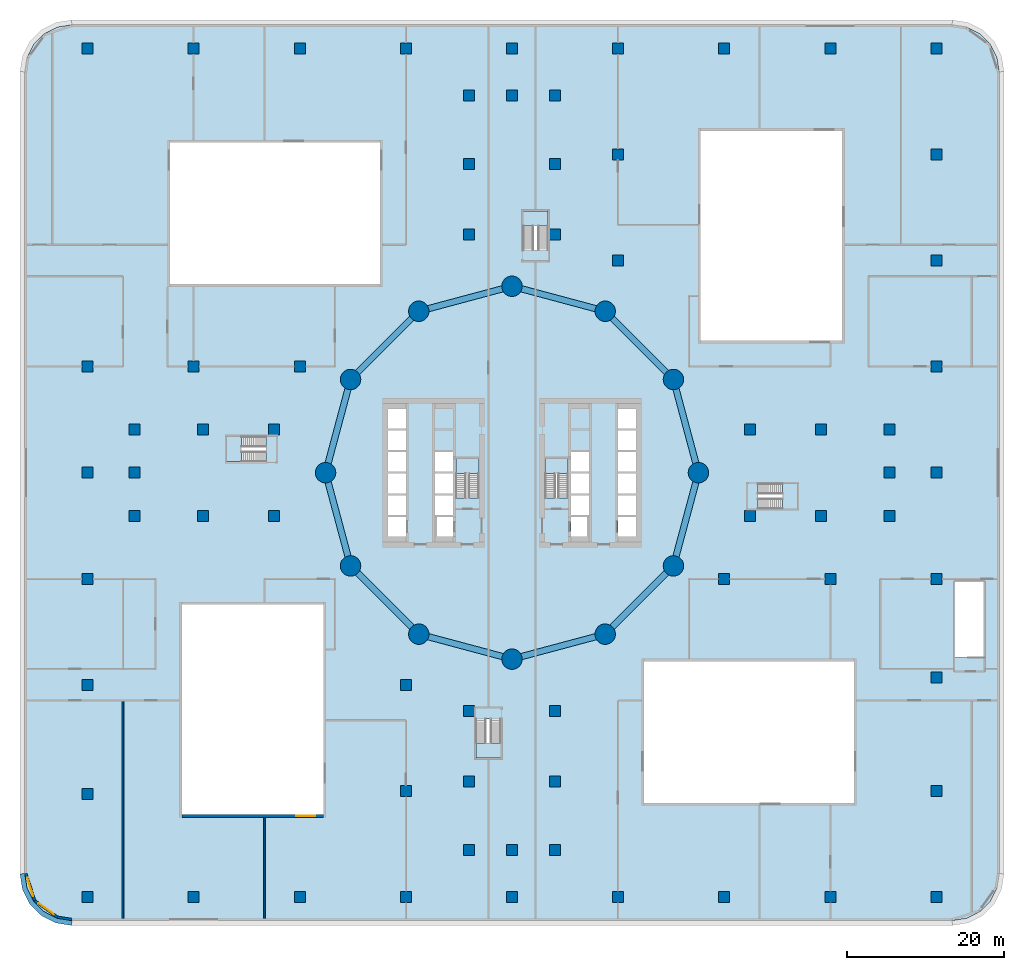
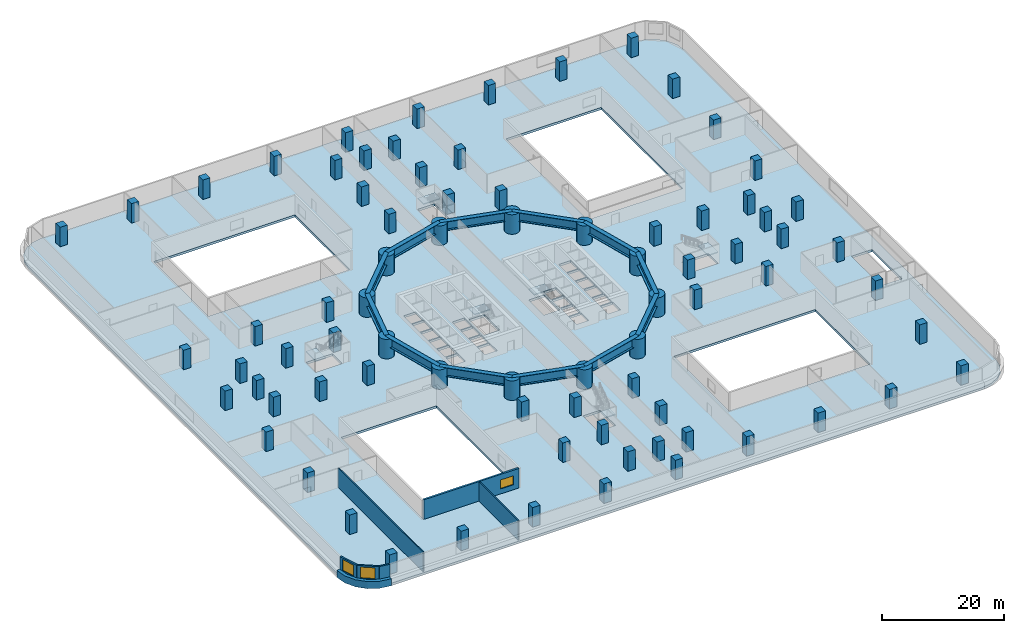
# One storey, part 1 of 16: 78 columns, 12 beams, 7 slabs, 6 walls, 3 windows, 1 member, 3 openings, 6 elements without a shape of their own.
"""IFC4 building model written with IfcOpenShell, lengths in metres."""

from ifc_helpers import new_model, si_unit, direction, frame, frame_2d, origin, origin_2d, place, context, subcontext, project, spatial, polyline, rectangle, circle, i_section, outline, extrude, material, layer, layer_set, material_profile, profile_set, type_object, element, fill, aggregate, save


model = new_model("IFC4")

# Units and contexts
model_context = context("Model", 3, precision=1e-05, world=origin(), true_north=direction((0.0, 1.0)))
body_context = subcontext(model_context, "Body", "Model", "MODEL_VIEW")
ifc_project = project(units=[si_unit("LENGTHUNIT", "METRE"), si_unit("AREAUNIT", "SQUARE_METRE"), si_unit("VOLUMEUNIT", "CUBIC_METRE"), si_unit("PLANEANGLEUNIT", "RADIAN"), si_unit("MASSUNIT", "GRAM", prefix="KILO")], contexts=[model_context])

# Site, building, storey
site_placement = place(None, origin())
site = spatial("IfcSite", under=ifc_project, at=site_placement, CompositionType="ELEMENT")
building_placement = place(site_placement, origin())
building = spatial("IfcBuilding", under=site, at=building_placement, Name="Tamarind Cross Interchange Tower", CompositionType="ELEMENT")
storey_placement = place(building_placement, frame((0.0, 0.0, 25.0)))
storey = spatial("IfcBuildingStorey", under=building, at=storey_placement, Name="L04", CompositionType="ELEMENT", Elevation=25.0)

# Columns
ifc_material_1 = material(Name="Concrete C80", Category="concrete")
ifc_material_profile_1 = material_profile(ifc_material_1, rectangle(XDim=1.39990234375, YDim=1.39990234375, at=origin_2d()), Name="RC 1400x1400")
ifc_profile_set_1 = profile_set([ifc_material_profile_1], Name="Concrete C80")
column_type_1 = type_object("IfcColumnType", Name="Column RC 1400x1400 Concrete C80", PredefinedType="COLUMN", material=ifc_profile_set_1)
for number, where, z_axis, x_axis, name in (
    (1, (39.300048828125, 5.5, -0.449951171875), (0.0, 0.0, 1.0), (1.0, 0.0, 0.0), "Column E.ep0"),
    (2, (39.300048828125, -5.5, -0.449951171875), (0.0, 0.0, 1.0), (1.0, 0.0, 0.0), "Column E.em0"),
    (3, (30.300048828125, 5.5, -0.449951171875), (0.0, 0.0, 1.0), (1.0, 0.0, 0.0), "Column E.ep1"),
    (4, (30.300048828125, -5.5, -0.449951171875), (0.0, 0.0, 1.0), (1.0, 0.0, 0.0), "Column E.em1"),
    (5, (48.007568359375, -5.5, -0.449951171875), (0.0, 0.0, 1.0), (1.0, 0.0, 0.0), "Column E.t0"),
    (6, (48.007568359375, 0.0, -0.449951171875), (0.0, 0.0, 1.0), (1.0, 0.0, 0.0), "Column E.t1"),
    (7, (48.007568359375, 5.5, -0.449951171875), (0.0, 0.0, 1.0), (1.0, 0.0, 0.0), "Column E.t2"),
    (8, (-5.5, 39.300048828125, -0.449951171875), (0.0, 0.0, 1.0), (1.0, 0.0, 0.0), "Column N.ep0"),
    (9, (5.5, 39.300048828125, -0.449951171875), (0.0, 0.0, 1.0), (1.0, 0.0, 0.0), "Column N.em0"),
    (10, (-5.5, 30.300048828125, -0.449951171875), (0.0, 0.0, 1.0), (1.0, 0.0, 0.0), "Column N.ep1"),
    (11, (5.5, 30.300048828125, -0.449951171875), (0.0, 0.0, 1.0), (1.0, 0.0, 0.0), "Column N.em1"),
    (12, (5.5, 48.007568359375, -0.449951171875), (0.0, 0.0, 1.0), (1.0, 0.0, 0.0), "Column N.t0"),
    (13, (0.0, 48.007568359375, -0.449951171875), (0.0, 0.0, 1.0), (1.0, 0.0, 0.0), "Column N.t1"),
    (14, (-5.5, 48.007568359375, -0.449951171875), (0.0, 0.0, 1.0), (1.0, 0.0, 0.0), "Column N.t2"),
    (15, (-39.300048828125, -5.5, -0.449951171875), (0.0, 0.0, 1.0), (1.0, 0.0, 0.0), "Column W.ep0"),
    (16, (-39.300048828125, 5.5, -0.449951171875), (0.0, 0.0, 1.0), (1.0, 0.0, 0.0), "Column W.em0"),
    (17, (-30.300048828125, -5.5, -0.449951171875), (0.0, 0.0, 1.0), (1.0, 0.0, 0.0), "Column W.ep1"),
    (18, (-30.300048828125, 5.5, -0.449951171875), (0.0, 0.0, 1.0), (1.0, 0.0, 0.0), "Column W.em1"),
    (19, (-48.007568359375, 5.5, -0.449951171875), (0.0, 0.0, 1.0), (1.0, 0.0, 0.0), "Column W.t0"),
    (20, (-48.007568359375, 0.0, -0.449951171875), (0.0, 0.0, 1.0), (1.0, 0.0, 0.0), "Column W.t1"),
    (21, (-48.007568359375, -5.5, -0.449951171875), (0.0, 0.0, 1.0), (1.0, 0.0, 0.0), "Column W.t2"),
    (22, (5.5, -39.300048828125, -0.449951171875), (0.0, 0.0, 1.0), (1.0, 0.0, 0.0), "Column S.ep0"),
    (23, (-5.5, -39.300048828125, -0.449951171875), (0.0, 0.0, 1.0), (1.0, 0.0, 0.0), "Column S.em0"),
    (24, (5.5, -30.300048828125, -0.449951171875), (0.0, 0.0, 1.0), (1.0, 0.0, 0.0), "Column S.ep1"),
    (25, (-5.5, -30.300048828125, -0.449951171875), (0.0, 0.0, 1.0), (1.0, 0.0, 0.0), "Column S.em1"),
    (26, (-5.5, -48.007568359375, -0.449951171875), (0.0, 0.0, 1.0), (1.0, 0.0, 0.0), "Column S.t0"),
    (27, (0.0, -48.007568359375, -0.449951171875), (0.0, 0.0, 1.0), (1.0, 0.0, 0.0), "Column S.t1"),
    (28, (5.5, -48.007568359375, -0.449951171875), (0.0, 0.0, 1.0), (1.0, 0.0, 0.0), "Column S.t2"),
    (29, (-54.0, -54.0, -0.449951171875), (0.0, 0.0, 1.0), (1.0, 0.0, 0.0), "Column G01"),
    (30, (-54.0, -40.85009765625, -0.449951171875), (0.0, 0.0, 1.0), (1.0, 0.0, 0.0), "Column G02"),
    (31, (-54.0, -27.0, -0.449951171875), (0.0, 0.0, 1.0), (1.0, 0.0, 0.0), "Column G03"),
    (32, (-54.0, -13.5, -0.449951171875), (0.0, 0.0, 1.0), (1.0, 0.0, 0.0), "Column G04"),
    (33, (-54.0, 0.0, -0.449951171875), (0.0, 0.0, 1.0), (1.0, 0.0, 0.0), "Column G05"),
    (34, (-54.0, 13.5, -0.449951171875), (0.0, 0.0, 1.0), (1.0, 0.0, 0.0), "Column G06"),
    (35, (-54.0, 54.0, -0.449951171875), (0.0, 0.0, 1.0), (1.0, 0.0, 0.0), "Column G07"),
    (36, (-40.5, -54.0, -0.449951171875), (0.0, 0.0, 1.0), (1.0, 0.0, 0.0), "Column G08"),
    (37, (-40.5, 13.5, -0.449951171875), (0.0, 0.0, 1.0), (1.0, 0.0, 0.0), "Column G09"),
    (38, (-40.5, 54.0, -0.449951171875), (0.0, 0.0, 1.0), (1.0, 0.0, 0.0), "Column G10"),
    (39, (-27.0, -54.0, -0.449951171875), (0.0, 0.0, 1.0), (1.0, 0.0, 0.0), "Column G11"),
    (40, (-27.0, 13.5, -0.449951171875), (0.0, 0.0, 1.0), (1.0, 0.0, 0.0), "Column G12"),
    (41, (-27.0, 54.0, -0.449951171875), (0.0, 0.0, 1.0), (1.0, 0.0, 0.0), "Column G13"),
    (42, (-13.5, -54.0, -0.449951171875), (0.0, 0.0, 1.0), (1.0, 0.0, 0.0), "Column G14"),
    (43, (-13.5, -40.5, -0.449951171875), (0.0, 0.0, 1.0), (1.0, 0.0, 0.0), "Column G15"),
    (44, (-13.5, -27.0, -0.449951171875), (0.0, 0.0, 1.0), (1.0, 0.0, 0.0), "Column G16"),
    (45, (-13.5, 54.0, -0.449951171875), (0.0, 0.0, 1.0), (1.0, 0.0, 0.0), "Column G17"),
    (46, (0.0, -54.0, -0.449951171875), (0.0, 0.0, 1.0), (1.0, 0.0, 0.0), "Column G18"),
    (47, (0.0, 54.0, -0.449951171875), (0.0, 0.0, 1.0), (1.0, 0.0, 0.0), "Column G19"),
    (48, (13.5, -54.0, -0.449951171875), (0.0, 0.0, 1.0), (1.0, 0.0, 0.0), "Column G20"),
    (49, (13.5, 27.0, -0.449951171875), (0.0, 0.0, 1.0), (1.0, 0.0, 0.0), "Column G21"),
    (50, (13.5, 40.5, -0.449951171875), (0.0, 0.0, 1.0), (1.0, 0.0, 0.0), "Column G22"),
    (51, (13.5, 54.0, -0.449951171875), (0.0, 0.0, 1.0), (1.0, 0.0, 0.0), "Column G23"),
    (52, (27.0, -54.0, -0.449951171875), (0.0, 0.0, 1.0), (1.0, 0.0, 0.0), "Column G24"),
    (53, (27.0, -13.5, -0.449951171875), (0.0, 0.0, 1.0), (1.0, 0.0, 0.0), "Column G25"),
    (54, (27.0, 54.0, -0.449951171875), (0.0, 0.0, 1.0), (1.0, 0.0, 0.0), "Column G26"),
    (55, (40.5, -54.0, -0.449951171875), (0.0, 0.0, 1.0), (1.0, 0.0, 0.0), "Column G27"),
    (56, (40.5, -13.5, -0.449951171875), (0.0, 0.0, 1.0), (1.0, 0.0, 0.0), "Column G28"),
    (57, (40.5, 54.0, -0.449951171875), (0.0, 0.0, 1.0), (1.0, 0.0, 0.0), "Column G29"),
    (58, (54.0, -54.0, -0.449951171875), (0.0, 0.0, 1.0), (1.0, 0.0, 0.0), "Column G30"),
    (59, (54.0, -40.5, -0.449951171875), (0.0, 0.0, 1.0), (1.0, 0.0, 0.0), "Column G31"),
    (60, (54.0, -26.050048828125, -0.449951171875), (0.0, 0.0, 1.0), (1.0, 0.0, 0.0), "Column G32"),
    (61, (54.0, -13.5, -0.449951171875), (0.0, 0.0, 1.0), (1.0, 0.0, 0.0), "Column G33"),
    (62, (54.0, 0.0, -0.449951171875), (0.0, 0.0, 1.0), (1.0, 0.0, 0.0), "Column G34"),
    (63, (54.0, 13.5, -0.449951171875), (0.0, 0.0, 1.0), (1.0, 0.0, 0.0), "Column G35"),
    (64, (54.0, 27.0, -0.449951171875), (0.0, 0.0, 1.0), (1.0, 0.0, 0.0), "Column G36"),
    (65, (54.0, 40.5, -0.449951171875), (0.0, 0.0, 1.0), (1.0, 0.0, 0.0), "Column G37"),
    (66, (54.0, 54.0, -0.449951171875), (0.0, 0.0, 1.0), (1.0, 0.0, 0.0), "Column G38"),
):
    element("IfcColumn", number, at=place(storey_placement, frame(where, z_axis=z_axis, x_axis=x_axis)), inside=storey, type_object=column_type_1, Name=name, PredefinedType="COLUMN", context=body_context, shape_type="SweptSolid", body=[
        extrude(rectangle(XDim=1.39990234375, YDim=1.39990234375, at=origin_2d()), origin(), (0.0, 0.0, 1.0), 4.349853515625),
    ])
ifc_material_profile_2 = material_profile(ifc_material_1, circle(Radius=1.300048828125, at=origin_2d()), Name="RC D2600")
ifc_profile_set_2 = profile_set([ifc_material_profile_2], Name="Concrete C80")
column_type_2 = type_object("IfcColumnType", Name="Column RC D2600 Concrete C80", PredefinedType="COLUMN", material=ifc_profile_set_2)
for number, where, z_axis, x_axis, name in (
    (67, (23.720703125, 0.0, -0.449951171875), (0.0, 0.0, 1.0), (1.0, 0.0, 0.0), "Ring column R01"),
    (68, (20.542724609375, 11.8603515625, -0.449951171875), (0.0, 0.0, 1.0), (1.0, 0.0, 0.0), "Ring column R02"),
    (69, (11.8603515625, 20.542724609375, -0.449951171875), (0.0, 0.0, 1.0), (1.0, 0.0, 0.0), "Ring column R03"),
    (70, (0.0, 23.720703125, -0.449951171875), (0.0, 0.0, 1.0), (1.0, 0.0, 0.0), "Ring column R04"),
    (71, (-11.8603515625, 20.542724609375, -0.449951171875), (0.0, 0.0, 1.0), (1.0, 0.0, 0.0), "Ring column R05"),
    (72, (-20.542724609375, 11.8603515625, -0.449951171875), (0.0, 0.0, 1.0), (1.0, 0.0, 0.0), "Ring column R06"),
    (73, (-23.720703125, 0.0, -0.449951171875), (0.0, 0.0, 1.0), (1.0, 0.0, 0.0), "Ring column R07"),
    (74, (-20.542724609375, -11.8603515625, -0.449951171875), (0.0, 0.0, 1.0), (1.0, 0.0, 0.0), "Ring column R08"),
    (75, (-11.8603515625, -20.542724609375, -0.449951171875), (0.0, 0.0, 1.0), (1.0, 0.0, 0.0), "Ring column R09"),
    (76, (0.0, -23.720703125, -0.449951171875), (0.0, 0.0, 1.0), (1.0, 0.0, 0.0), "Ring column R10"),
    (77, (11.8603515625, -20.542724609375, -0.449951171875), (0.0, 0.0, 1.0), (1.0, 0.0, 0.0), "Ring column R11"),
    (78, (20.542724609375, -11.8603515625, -0.449951171875), (0.0, 0.0, 1.0), (1.0, 0.0, 0.0), "Ring column R12"),
):
    element("IfcColumn", number, at=place(storey_placement, frame(where, z_axis=z_axis, x_axis=x_axis)), inside=storey, type_object=column_type_2, Name=name, PredefinedType="COLUMN", context=body_context, shape_type="SweptSolid", body=[
        extrude(circle(Radius=1.300048828125, at=origin_2d()), origin(), (0.0, 0.0, 1.0), 4.349853515625),
    ])

# Member
ifc_material_2 = material(Name="Aluminium and insulated spandrel panel", Category="aluminium")
member_type = type_object("IfcMemberType", Name="Floor-edge blade transom", PredefinedType="USERDEFINED", material=ifc_material_2)
member_placement = place(storey_placement, origin())
member = element("IfcMember", 79, at=member_placement, type_object=member_type, Name="CWT-L04-05", ObjectType="TRANSOM", PredefinedType="USERDEFINED", context=body_context, shape_type="SweptSolid", body=[
    extrude(outline(polyline([(-62.0, -51.0), (-61.706298828125, -52.85400390625), (-60.85400390625, -54.526611328125), (-59.526611328125, -55.85400390625), (-57.85400390625, -56.706298828125), (-56.0, -57.0), (-56.047119140625, -57.60009765625), (-58.041748046875, -57.2841796875), (-59.8837890625, -56.345458984375), (-61.345458984375, -54.8837890625), (-62.2841796875, -53.041748046875), (-62.60009765625, -51.047119140625), (-62.0, -51.0)])), origin(), (0.0, 0.0, 1.0), 1.39990234375),
])

# Beams
ifc_material_3 = material(Name="Steel Q345GJC", Category="steel")
ifc_material_profile_3 = material_profile(ifc_material_3, i_section(OverallWidth=0.800048828125, OverallDepth=1.800048828125, WebThickness=0.0400390625, FlangeThickness=0.070068359375, at=origin_2d()), Name="BH 1800x800x40x70")
ifc_profile_set_3 = profile_set([ifc_material_profile_3], Name="Steel Q345GJC")
beam_type = type_object("IfcBeamType", Name="Transfer girder BH 1800x800x40x70 Q345GJC", PredefinedType="BEAM", material=ifc_profile_set_3)
for number, where, z_axis, x_axis, name in (
    (80, (23.720703125, 0.0, 3.0), (-0.258819568836, 0.965925685955, 0.0), (-0.965925685955, -0.258819568836, 0.0), "Transfer girder 1"),
    (81, (20.542724609375, 11.8603515625, 3.0), (-0.707106781187, 0.707106781187, 0.0), (-0.707106781187, -0.707106781187, 0.0), "Transfer girder 2"),
    (82, (11.8603515625, 20.542724609375, 3.0), (-0.965925685955, 0.258819568836, 0.0), (-0.258819568836, -0.965925685955, 0.0), "Transfer girder 3"),
    (83, (0.0, 23.720703125, 3.0), (-0.965925685955, -0.258819568836, 0.0), (0.258819568836, -0.965925685955, 0.0), "Transfer girder 4"),
    (84, (-11.8603515625, 20.542724609375, 3.0), (-0.707106781187, -0.707106781187, 0.0), (0.707106781187, -0.707106781187, 0.0), "Transfer girder 5"),
    (85, (-20.542724609375, 11.8603515625, 3.0), (-0.258819568836, -0.965925685955, 0.0), (0.965925685955, -0.258819568836, 0.0), "Transfer girder 6"),
    (86, (-23.720703125, 0.0, 3.0), (0.258819568836, -0.965925685955, 0.0), (0.965925685955, 0.258819568836, 0.0), "Transfer girder 7"),
    (87, (-20.542724609375, -11.8603515625, 3.0), (0.707106781187, -0.707106781187, 0.0), (0.707106781187, 0.707106781187, 0.0), "Transfer girder 8"),
    (88, (-11.8603515625, -20.542724609375, 3.0), (0.965925685955, -0.258819568836, 0.0), (0.258819568836, 0.965925685955, 0.0), "Transfer girder 9"),
    (89, (0.0, -23.720703125, 3.0), (0.965925685955, 0.258819568836, 0.0), (-0.258819568836, 0.965925685955, 0.0), "Transfer girder 10"),
    (90, (11.8603515625, -20.542724609375, 3.0), (0.707106781187, 0.707106781187, 0.0), (-0.707106781187, 0.707106781187, 0.0), "Transfer girder 11"),
    (91, (20.542724609375, -11.8603515625, 3.0), (0.258819568836, 0.965925685955, 0.0), (-0.965925685955, 0.258819568836, 0.0), "Transfer girder 12"),
):
    element("IfcBeam", number, at=place(storey_placement, frame(where, z_axis=z_axis, x_axis=x_axis)), inside=storey, type_object=beam_type, Name=name, PredefinedType="BEAM", context=body_context, shape_type="SweptSolid", body=[
        extrude(i_section(OverallWidth=0.800048828125, OverallDepth=1.800048828125, WebThickness=0.0400390625, FlangeThickness=0.070068359375, at=origin_2d()), origin(), (0.0, 0.0, 1.0), 12.27880859375),
    ])

# Slab
ifc_material_4 = material(Name="Concrete C40", Category="concrete")
ifc_layer_1 = layer(ifc_material_4, 0.449951171875)
ifc_layer_set_1 = layer_set([ifc_layer_1], Name="Concrete C40")
slab_type_1 = type_object("IfcSlabType", Name="Post-tensioned flat slab 450 Concrete C40", PredefinedType="FLOOR", material=ifc_layer_set_1)
slab_1_placement = place(storey_placement, frame((0.0, 0.0, -0.449951171875)))
element("IfcSlab", 92, at=slab_1_placement, inside=storey, type_object=slab_type_1, Name="Floor slab L04", PredefinedType="FLOOR", context=body_context, shape_type="SweptSolid", body=[
    extrude(outline(polyline([(-57.85400390625, -56.706298828125), (-56.0, -57.0), (56.0, -57.0), (57.85400390625, -56.706298828125), (59.526611328125, -55.85400390625), (60.85400390625, -54.526611328125), (61.706298828125, -52.85400390625), (62.0, -51.0), (62.0, 51.0), (61.706298828125, 52.85400390625), (60.85400390625, 54.526611328125), (59.526611328125, 55.85400390625), (57.85400390625, 56.706298828125), (56.0, 57.0), (-56.0, 57.0), (-57.85400390625, 56.706298828125), (-59.526611328125, 55.85400390625), (-60.85400390625, 54.526611328125), (-61.706298828125, 52.85400390625), (-62.0, 51.0), (-62.0, -51.0), (-61.706298828125, -52.85400390625), (-60.85400390625, -54.526611328125), (-59.526611328125, -55.85400390625), (-57.85400390625, -56.706298828125)]), holes=[polyline([(-4.60009765625, -31.31201171875), (-1.39990234375, -31.31201171875), (-1.39990234375, -36.300048828125), (-4.60009765625, -36.300048828125), (-4.60009765625, -31.31201171875)]), polyline([(-42.0, -43.5), (-42.0, -16.800048828125), (-24.0, -16.800048828125), (-24.0, -43.5), (-42.0, -43.5)]), polyline([(-13.5, -8.125), (-15.800048828125, -8.125), (-15.800048828125, -5.625), (-13.5, -5.625), (-13.5, -8.125)]), polyline([(-7.5, -8.125), (-9.800048828125, -8.125), (-9.800048828125, -5.625), (-7.5, -5.625), (-7.5, -8.125)]), polyline([(-13.5, -5.375), (-15.800048828125, -5.375), (-15.800048828125, -2.875), (-13.5, -2.875), (-13.5, -5.375)]), polyline([(-7.5, -5.375), (-9.800048828125, -5.375), (-9.800048828125, -2.875), (-7.5, -2.875), (-7.5, -5.375)]), polyline([(-13.5, -2.625), (-15.800048828125, -2.625), (-15.800048828125, -0.125), (-13.5, -0.125), (-13.5, -2.625)]), polyline([(-7.5, -2.625), (-9.800048828125, -2.625), (-9.800048828125, -0.125), (-7.5, -0.125), (-7.5, -2.625)]), polyline([(-4.199951171875, 1.800048828125), (-4.199951171875, -3.18798828125), (-7.14990234375, -3.18798828125), (-7.14990234375, 1.800048828125), (-4.199951171875, 1.800048828125)]), polyline([(-13.5, 0.125), (-15.800048828125, 0.125), (-15.800048828125, 2.625), (-13.5, 2.625), (-13.5, 0.125)]), polyline([(-7.5, 0.125), (-9.800048828125, 0.125), (-9.800048828125, 2.625), (-7.5, 2.625), (-7.5, 0.125)]), polyline([(-31.31201171875, 1.39990234375), (-36.300048828125, 1.39990234375), (-36.300048828125, 4.60009765625), (-31.31201171875, 4.60009765625), (-31.31201171875, 1.39990234375)]), polyline([(-13.5, 2.875), (-15.800048828125, 2.875), (-15.800048828125, 5.375), (-13.5, 5.375), (-13.5, 2.875)]), polyline([(-13.5, 5.625), (-15.800048828125, 5.625), (-15.800048828125, 8.125), (-13.5, 8.125), (-13.5, 5.625)]), polyline([(1.39990234375, 28.31201171875), (1.39990234375, 33.300048828125), (4.60009765625, 33.300048828125), (4.60009765625, 28.31201171875), (1.39990234375, 28.31201171875)]), polyline([(-43.5, 24.0), (-43.5, 42.0), (-16.800048828125, 42.0), (-16.800048828125, 24.0), (-43.5, 24.0)]), polyline([(16.800048828125, -42.0), (16.800048828125, -24.0), (43.5, -24.0), (43.5, -42.0), (16.800048828125, -42.0)]), polyline([(60.14990234375, -13.800048828125), (60.14990234375, -23.488037109375), (56.25, -23.488037109375), (56.25, -13.800048828125), (60.14990234375, -13.800048828125)]), polyline([(7.5, -5.625), (9.800048828125, -5.625), (9.800048828125, -8.125), (7.5, -8.125), (7.5, -5.625)]), polyline([(13.5, -5.625), (15.800048828125, -5.625), (15.800048828125, -8.125), (13.5, -8.125), (13.5, -5.625)]), polyline([(7.5, -2.875), (9.800048828125, -2.875), (9.800048828125, -5.375), (7.5, -5.375), (7.5, -2.875)]), polyline([(13.5, -2.875), (15.800048828125, -2.875), (15.800048828125, -5.375), (13.5, -5.375), (13.5, -2.875)]), polyline([(31.31201171875, -1.39990234375), (36.300048828125, -1.39990234375), (36.300048828125, -4.60009765625), (31.31201171875, -4.60009765625), (31.31201171875, -1.39990234375)]), polyline([(7.5, -0.125), (9.800048828125, -0.125), (9.800048828125, -2.625), (7.5, -2.625), (7.5, -0.125)]), polyline([(13.5, -0.125), (15.800048828125, -0.125), (15.800048828125, -2.625), (13.5, -2.625), (13.5, -0.125)]), polyline([(7.14990234375, 1.800048828125), (7.14990234375, -3.18798828125), (4.199951171875, -3.18798828125), (4.199951171875, 1.800048828125), (7.14990234375, 1.800048828125)]), polyline([(7.5, 2.625), (9.800048828125, 2.625), (9.800048828125, 0.125), (7.5, 0.125), (7.5, 2.625)]), polyline([(13.5, 2.625), (15.800048828125, 2.625), (15.800048828125, 0.125), (13.5, 0.125), (13.5, 2.625)]), polyline([(13.5, 5.375), (15.800048828125, 5.375), (15.800048828125, 2.875), (13.5, 2.875), (13.5, 5.375)]), polyline([(13.5, 8.125), (15.800048828125, 8.125), (15.800048828125, 5.625), (13.5, 5.625), (13.5, 8.125)]), polyline([(24.0, 16.800048828125), (24.0, 43.5), (42.0, 43.5), (42.0, 16.800048828125), (24.0, 16.800048828125)])]), origin(), (0.0, 0.0, 1.0), 0.449951171875),
])

# Stair, slab
ifc_material_5 = material(Name="Exit stair")
stair_type = type_object("IfcStairType", Name="Exit stair", PredefinedType="HALF_TURN_STAIR", material=ifc_material_5)
stair_1_placement = place(storey_placement, origin())
stair_1 = element("IfcStair", 93, at=stair_1_placement, inside=storey, type_object=stair_type, Name="L04 exit stair ST1", PredefinedType="HALF_TURN_STAIR")
ifc_layer_2 = layer(ifc_material_4, 0.199951171875)
ifc_layer_set_2 = layer_set([ifc_layer_2], Name="Concrete C40")
slab_type_2 = type_object("IfcSlabType", Name="Stair landing", PredefinedType="LANDING", material=ifc_layer_set_2)
slab_2_placement = place(storey_placement, frame((0.0, 0.0, 2.050048828125)))
slab_2 = element("IfcSlab", 94, at=slab_2_placement, type_object=slab_type_2, Name="ST1 landing 1", PredefinedType="LANDING", context=body_context, shape_type="SweptSolid", body=[
    extrude(outline(polyline([(-4.199951171875, -0.080078125), (-4.199951171875, 1.800048828125), (-7.14990234375, 1.800048828125), (-7.14990234375, -0.080078125), (-4.199951171875, -0.080078125)])), origin(), (0.0, 0.0, 1.0), 0.199951171875),
])
aggregate(stair_1, [slab_2])

stair_2_placement = place(storey_placement, origin())
stair_2 = element("IfcStair", 95, at=stair_2_placement, inside=storey, type_object=stair_type, Name="L04 exit stair ST2", PredefinedType="HALF_TURN_STAIR")
slab_3_placement = place(storey_placement, frame((0.0, 0.0, 2.050048828125)))
slab_3 = element("IfcSlab", 96, at=slab_3_placement, type_object=slab_type_2, Name="ST2 landing 1", PredefinedType="LANDING", context=body_context, shape_type="SweptSolid", body=[
    extrude(outline(polyline([(7.14990234375, -0.080078125), (7.14990234375, 1.800048828125), (4.199951171875, 1.800048828125), (4.199951171875, -0.080078125), (7.14990234375, -0.080078125)])), origin(), (0.0, 0.0, 1.0), 0.199951171875),
])
aggregate(stair_2, [slab_3])

stair_3_placement = place(storey_placement, origin())
stair_3 = element("IfcStair", 97, at=stair_3_placement, inside=storey, type_object=stair_type, Name="L04 exit stair ST3", PredefinedType="HALF_TURN_STAIR")
slab_4_placement = place(storey_placement, frame((0.0, 0.0, 2.050048828125)))
slab_4 = element("IfcSlab", 98, at=slab_4_placement, type_object=slab_type_2, Name="ST3 landing 1", PredefinedType="LANDING", context=body_context, shape_type="SweptSolid", body=[
    extrude(outline(polyline([(34.407958984375, -4.60009765625), (36.300048828125, -4.60009765625), (36.300048828125, -1.39990234375), (34.407958984375, -1.39990234375), (34.407958984375, -4.60009765625)])), origin(), (0.0, 0.0, 1.0), 0.199951171875),
])
aggregate(stair_3, [slab_4])

stair_4_placement = place(storey_placement, origin())
stair_4 = element("IfcStair", 99, at=stair_4_placement, inside=storey, type_object=stair_type, Name="L04 exit stair ST4", PredefinedType="HALF_TURN_STAIR")
slab_5_placement = place(storey_placement, frame((0.0, 0.0, 2.050048828125)))
slab_5 = element("IfcSlab", 100, at=slab_5_placement, type_object=slab_type_2, Name="ST4 landing 1", PredefinedType="LANDING", context=body_context, shape_type="SweptSolid", body=[
    extrude(outline(polyline([(4.60009765625, 31.407958984375), (4.60009765625, 33.300048828125), (1.39990234375, 33.300048828125), (1.39990234375, 31.407958984375), (4.60009765625, 31.407958984375)])), origin(), (0.0, 0.0, 1.0), 0.199951171875),
])
aggregate(stair_4, [slab_5])

stair_5_placement = place(storey_placement, origin())
stair_5 = element("IfcStair", 101, at=stair_5_placement, inside=storey, type_object=stair_type, Name="L04 exit stair ST5", PredefinedType="HALF_TURN_STAIR")
slab_6_placement = place(storey_placement, frame((0.0, 0.0, 2.050048828125)))
slab_6 = element("IfcSlab", 102, at=slab_6_placement, type_object=slab_type_2, Name="ST5 landing 1", PredefinedType="LANDING", context=body_context, shape_type="SweptSolid", body=[
    extrude(outline(polyline([(-34.407958984375, 4.60009765625), (-36.300048828125, 4.60009765625), (-36.300048828125, 1.39990234375), (-34.407958984375, 1.39990234375), (-34.407958984375, 4.60009765625)])), origin(), (0.0, 0.0, 1.0), 0.199951171875),
])
aggregate(stair_5, [slab_6])

stair_6_placement = place(storey_placement, origin())
stair_6 = element("IfcStair", 103, at=stair_6_placement, inside=storey, type_object=stair_type, Name="L04 exit stair ST6", PredefinedType="HALF_TURN_STAIR")
slab_7_placement = place(storey_placement, frame((0.0, 0.0, 2.050048828125)))
slab_7 = element("IfcSlab", 104, at=slab_7_placement, type_object=slab_type_2, Name="ST6 landing 1", PredefinedType="LANDING", context=body_context, shape_type="SweptSolid", body=[
    extrude(outline(polyline([(-4.60009765625, -34.407958984375), (-4.60009765625, -36.300048828125), (-1.39990234375, -36.300048828125), (-1.39990234375, -34.407958984375), (-4.60009765625, -34.407958984375)])), origin(), (0.0, 0.0, 1.0), 0.199951171875),
])
aggregate(stair_6, [slab_7])

# Walls
ifc_material_6 = material(Name="Masonry partition, fire-rated", Category="masonry")
ifc_layer_3 = layer(ifc_material_6, 0.199951171875)
ifc_layer_set_3 = layer_set([ifc_layer_3], Name="Masonry partition, fire-rated")
wall_type_1 = type_object("IfcWallType", Name="Fire partition 200 EI 120", PredefinedType="PARTITIONING", material=ifc_layer_set_3)
wall_1_placement = place(storey_placement, frame((-49.5, -56.698974609375, 0.0), z_axis=(0.0, 0.0, 1.0), x_axis=(0.0, 1.0, 0.0)))
element("IfcWall", 105, at=wall_1_placement, inside=storey, type_object=wall_type_1, Name="L04 partition 13", PredefinedType="PARTITIONING", context=body_context, shape_type="SweptSolid", body=[
    extrude(rectangle(XDim=27.698974609375, YDim=0.199951171875, at=frame_2d((13.849609375, 0.0))), origin(), (0.0, 0.0, 1.0), 3.89990234375),
])
wall_2_placement = place(storey_placement, frame((-31.5, -56.698974609375, 0.0), z_axis=(0.0, 0.0, 1.0), x_axis=(0.0, 1.0, 0.0)))
element("IfcWall", 106, at=wall_2_placement, inside=storey, type_object=wall_type_1, Name="L04 partition 21", PredefinedType="PARTITIONING", context=body_context, shape_type="SweptSolid", body=[
    extrude(rectangle(XDim=12.819091796875, YDim=0.199951171875, at=frame_2d((6.40966796875, 0.0))), origin(), (0.0, 0.0, 1.0), 3.89990234375),
])

# Wall, opening, window
ifc_material_7 = material(Name="Precast concrete C40", Category="concrete")
ifc_layer_4 = layer(ifc_material_7, 0.300048828125)
ifc_layer_set_4 = layer_set([ifc_layer_4], Name="Precast concrete C40")
wall_type_2 = type_object("IfcWallType", Name="Plant louvre wall", PredefinedType="SOLIDWALL", material=ifc_layer_set_4)
wall_3_placement = place(storey_placement, frame((-61.85009765625, -50.98828125, 0.0), z_axis=(0.0, 0.0, 1.0), x_axis=(0.308562324189, -0.951204127457, 0.0)))
wall_3 = element("IfcWall", 107, at=wall_3_placement, inside=storey, type_object=wall_type_2, Name="EXW-L04-05-00", PredefinedType="SOLIDWALL", context=body_context, shape_type="SweptSolid", body=[
    extrude(rectangle(XDim=3.626220703125, YDim=0.300048828125, at=frame_2d((1.81298828125, 0.0))), origin(), (0.0, 0.0, 1.0), 3.89990234375),
])
opening_1_placement = place(wall_3_placement, frame((0.60009765625, 0.0, 1.39990234375)))
opening_1 = element("IfcOpeningElement", 108, at=opening_1_placement, cuts=wall_3, Name="Opening W2", PredefinedType="OPENING", context=body_context, shape_type="SweptSolid", body=[
    extrude(rectangle(XDim=2.42626953125, YDim=2.199951171875, at=frame_2d((1.213134765625, 1.10009765625))), frame((0.0, 0.159912109375, 0.0), z_axis=(0.0, -1.0, 0.0), x_axis=(1.0, 0.0, 0.0)), (0.0, 0.0, 1.0), 0.320068359375),
])
ifc_material_8 = material(Name="Aluminium louvre", Category="aluminium")
window_type_1 = type_object("IfcWindowType", Name="Plant louvre bank", PartitioningType="SINGLE_PANEL", PredefinedType="WINDOW", material=ifc_material_8)
window_1_placement = place(opening_1_placement, origin())
window_1 = element("IfcWindow", 109, at=window_1_placement, inside=storey, type_object=window_type_1, Name="WIN-L04-05-00", OverallHeight=2.199951171875, OverallWidth=2.42626953125, PartitioningType="SINGLE_PANEL", PredefinedType="WINDOW", context=body_context, shape_type="SweptSolid", body=[
    extrude(rectangle(XDim=2.42626953125, YDim=2.199951171875, at=frame_2d((1.213134765625, 1.10009765625))), frame((0.0, 0.030029296875, 0.0), z_axis=(0.0, -1.0, 0.0), x_axis=(1.0, 0.0, 0.0)), (0.0, 0.0, 1.0), 0.06005859375),
])
fill(opening_1, window_1)

aggregate(wall_3, [member])

wall_4_placement = place(storey_placement, frame((-60.731201171875, -54.4375, 0.0), z_axis=(0.0, 0.0, 1.0), x_axis=(0.80901056566, -0.587794100557, 0.0)))
wall_4 = element("IfcWall", 110, at=wall_4_placement, inside=storey, type_object=wall_type_2, Name="EXW-L04-05-01", PredefinedType="SOLIDWALL", context=body_context, shape_type="SweptSolid", body=[
    extrude(rectangle(XDim=3.614501953125, YDim=0.300048828125, at=frame_2d((1.80712890625, 0.0))), origin(), (0.0, 0.0, 1.0), 3.89990234375),
])
opening_2_placement = place(wall_4_placement, frame((0.60009765625, 0.0, 1.39990234375)))
opening_2 = element("IfcOpeningElement", 111, at=opening_2_placement, cuts=wall_4, Name="Opening W2", PredefinedType="OPENING", context=body_context, shape_type="SweptSolid", body=[
    extrude(rectangle(XDim=2.414306640625, YDim=2.199951171875, at=frame_2d((1.20703125, 1.10009765625))), frame((0.0, 0.159912109375, 0.0), z_axis=(0.0, -1.0, 0.0), x_axis=(1.0, 0.0, 0.0)), (0.0, 0.0, 1.0), 0.320068359375),
])
window_2_placement = place(opening_2_placement, origin())
window_2 = element("IfcWindow", 112, at=window_2_placement, inside=storey, type_object=window_type_1, Name="WIN-L04-05-01", OverallHeight=2.199951171875, OverallWidth=2.414306640625, PartitioningType="SINGLE_PANEL", PredefinedType="WINDOW", context=body_context, shape_type="SweptSolid", body=[
    extrude(rectangle(XDim=2.414306640625, YDim=2.199951171875, at=frame_2d((1.20703125, 1.10009765625))), frame((0.0, 0.030029296875, 0.0), z_axis=(0.0, -1.0, 0.0), x_axis=(1.0, 0.0, 0.0)), (0.0, 0.0, 1.0), 0.06005859375),
])
fill(opening_2, window_2)

# Wall
wall_5_placement = place(storey_placement, frame((-57.80712890625, -56.56201171875, 0.0), z_axis=(0.0, 0.0, 1.0), x_axis=(0.987687604806, -0.15643911056, 0.0)))
element("IfcWall", 113, at=wall_5_placement, inside=storey, type_object=wall_type_2, Name="EXW-L04-05-02", PredefinedType="SOLIDWALL", context=body_context, shape_type="SweptSolid", body=[
    extrude(rectangle(XDim=1.841552734375, YDim=0.300048828125, at=frame_2d((0.9208984375, 0.0))), origin(), (0.0, 0.0, 1.0), 3.89990234375),
])

# Wall, opening, window
ifc_layer_5 = layer(ifc_material_7, 0.35009765625)
ifc_layer_set_5 = layer_set([ifc_layer_5], Name="Precast concrete C40")
wall_type_3 = type_object("IfcWallType", Name="Podium facade wall", PredefinedType="SOLIDWALL", material=ifc_layer_set_5)
wall_6_placement = place(storey_placement, frame((-42.0, -43.675048828125, 0.0), z_axis=(0.0, 0.0, 1.0), x_axis=(1.0, 0.0, 0.0)))
wall_6 = element("IfcWall", 114, at=wall_6_placement, inside=storey, type_object=wall_type_3, Name="CTW-L04-SWS00", PredefinedType="SOLIDWALL", context=body_context, shape_type="SweptSolid", body=[
    extrude(rectangle(XDim=18.0, YDim=0.35009765625, at=frame_2d((9.0, 0.0))), origin(), (0.0, 0.0, 1.0), 3.89990234375),
])
opening_3_placement = place(wall_6_placement, frame((14.550048828125, 0.0, 1.0)))
opening_3 = element("IfcOpeningElement", 115, at=opening_3_placement, cuts=wall_6, Name="Opening W4", PredefinedType="OPENING", context=body_context, shape_type="SweptSolid", body=[
    extrude(rectangle(XDim=2.39990234375, YDim=1.800048828125, at=frame_2d((1.199951171875, 0.89990234375))), frame((0.0, 0.18505859375, 0.0), z_axis=(0.0, -1.0, 0.0), x_axis=(1.0, 0.0, 0.0)), (0.0, 0.0, 1.0), 0.3701171875),
])
ifc_material_9 = material(Name="Aluminium and toughened glass", Category="aluminium")
window_type_2 = type_object("IfcWindowType", Name="Podium daylight window", PartitioningType="SINGLE_PANEL", PredefinedType="WINDOW", material=ifc_material_9)
window_3_placement = place(opening_3_placement, origin())
window_3 = element("IfcWindow", 116, at=window_3_placement, inside=storey, type_object=window_type_2, Name="CTX-L04-SWS-01-00", OverallHeight=1.800048828125, OverallWidth=2.39990234375, PartitioningType="SINGLE_PANEL", PredefinedType="WINDOW", context=body_context, shape_type="SweptSolid", body=[
    extrude(rectangle(XDim=2.39990234375, YDim=1.800048828125, at=frame_2d((1.199951171875, 0.89990234375))), frame((0.0, 0.030029296875, 0.0), z_axis=(0.0, -1.0, 0.0), x_axis=(1.0, 0.0, 0.0)), (0.0, 0.0, 1.0), 0.06005859375),
])
fill(opening_3, window_3)

save(model, "model.ifc")
